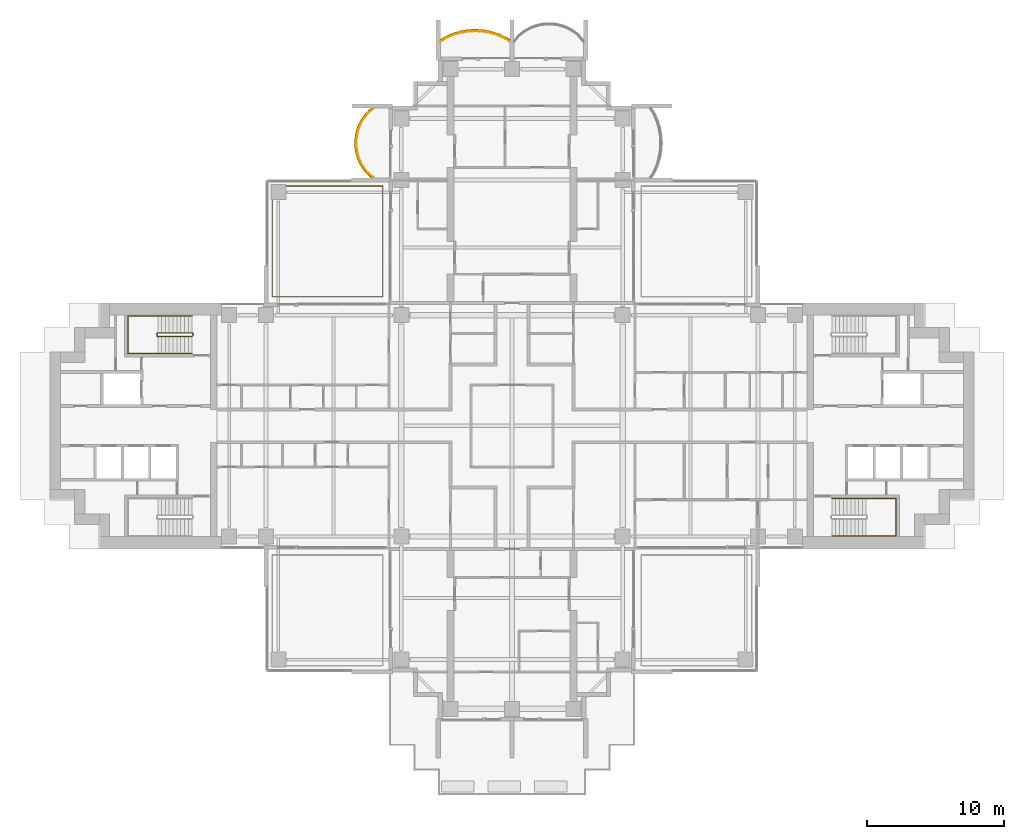
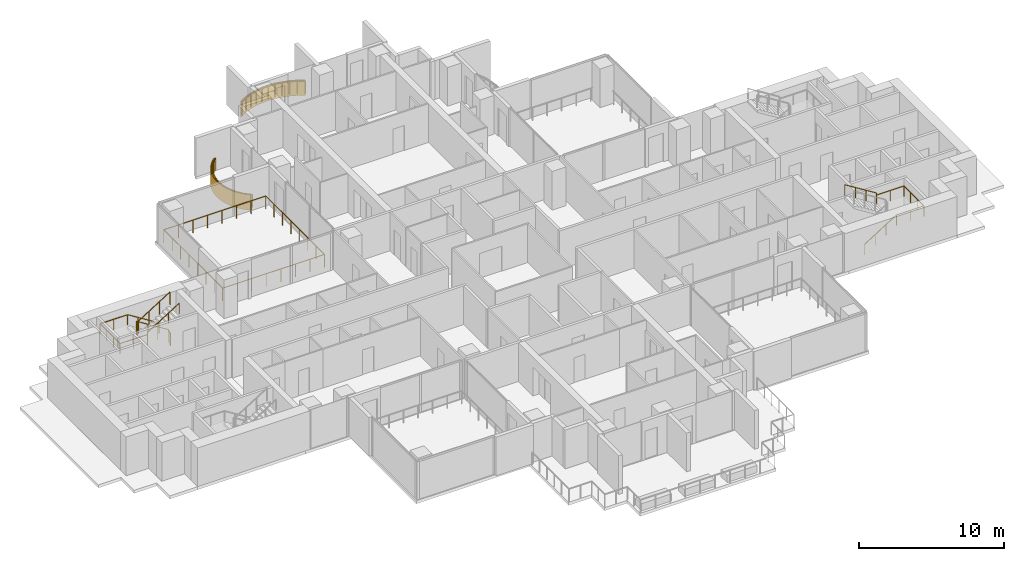
# One storey, part 19 of 20: 6 railings, 2 coverings.
"""IFC4 building model written with IfcOpenShell, lengths in metres."""

from ifc_helpers import new_model, si_unit, direction, frame, origin, origin_2d, place, context, subcontext, project, spatial, polyline, rectangle, outline, extrude, material, layer, layer_set, type_object, element, save


model = new_model("IFC4")

# Units and contexts
model_context = context("Model", 3, precision=1e-05, world=origin(), true_north=direction((0.0, 1.0)))
body_context = subcontext(model_context, "Body", "Model", "MODEL_VIEW")
ifc_project = project(units=[si_unit("LENGTHUNIT", "METRE"), si_unit("AREAUNIT", "SQUARE_METRE"), si_unit("VOLUMEUNIT", "CUBIC_METRE"), si_unit("PLANEANGLEUNIT", "RADIAN"), si_unit("MASSUNIT", "GRAM", prefix="KILO")], contexts=[model_context])

# Site, building, storey
site_placement = place(None, origin())
site = spatial("IfcSite", under=ifc_project, at=site_placement, CompositionType="ELEMENT")
building_placement = place(site_placement, origin())
building = spatial("IfcBuilding", under=site, at=building_placement, Name="Perihelion Cross Residences", CompositionType="ELEMENT")
storey_placement = place(building_placement, frame((0.0, 0.0, 102.39990234375)))
storey = spatial("IfcBuildingStorey", under=building, at=storey_placement, Name="L23", CompositionType="ELEMENT", Elevation=102.39990234375)

# Coverings
ifc_material_1 = material(Name="Bronze anodised aluminium", Category="aluminium")
ifc_layer = layer(ifc_material_1, 0.070068359375)
ifc_layer_set = layer_set([ifc_layer], Name="Balcony fascia 1300")
covering_type = type_object("IfcCoveringType", Name="Balcony fascia 1300", PredefinedType="CLADDING", material=ifc_layer_set)
covering_1_placement = place(storey_placement, frame((0.0, 0.0, -0.199951171875)))
element("IfcCovering", 1, at=covering_1_placement, inside=storey, type_object=covering_type, Name="Fascia BF1 L23 north tip north bay 2", PredefinedType="CLADDING", context=body_context, shape_type="SweptSolid", body=[
    extrude(outline(polyline([(-0.629638671875, 28.54833984375), (-1.147216796875, 28.7607421875), (-1.664794921875, 28.906494140625), (-2.182373046875, 28.991943359375), (-2.699951171875, 29.02001953125), (-3.217529296875, 28.991943359375), (-3.735107421875, 28.906494140625), (-4.2529296875, 28.7607421875), (-4.7705078125, 28.54833984375), (-5.25, 28.2802734375), (-5.25, 28.199951171875), (-4.739990234375, 28.4853515625), (-4.22998046875, 28.694580078125), (-3.719970703125, 28.838134765625), (-3.2099609375, 28.92236328125), (-2.699951171875, 28.949951171875), (-2.18994140625, 28.92236328125), (-1.679931640625, 28.838134765625), (-1.169921875, 28.694580078125), (-0.659912109375, 28.4853515625), (-0.14990234375, 28.199951171875), (-0.14990234375, 28.2802734375), (-0.629638671875, 28.54833984375)])), origin(), (0.0, 0.0, 1.0), 1.300048828125),
])
covering_2_placement = place(storey_placement, frame((0.0, 0.0, -0.199951171875)))
element("IfcCovering", 2, at=covering_2_placement, inside=storey, type_object=covering_type, Name="Fascia BF1 L23 north side west bay 1", PredefinedType="CLADDING", context=body_context, shape_type="SweptSolid", body=[
    extrude(outline(polyline([(-10.674072265625, 22.90478515625), (-10.982666015625, 22.50390625), (-11.20654296875, 22.10302734375), (-11.364013671875, 21.7021484375), (-11.464599609375, 21.30126953125), (-11.513916015625, 20.900390625), (-11.513916015625, 20.49951171875), (-11.464599609375, 20.0986328125), (-11.364013671875, 19.69775390625), (-11.20654296875, 19.296875), (-10.982666015625, 18.89599609375), (-10.674072265625, 18.4951171875), (-10.302734375, 18.14990234375), (-10.199951171875, 18.14990234375), (-10.622314453125, 18.542236328125), (-10.924072265625, 18.9345703125), (-11.143310546875, 19.326904296875), (-11.29736328125, 19.71923828125), (-11.39599609375, 20.111572265625), (-11.444091796875, 20.50390625), (-11.444091796875, 20.896240234375), (-11.39599609375, 21.28857421875), (-11.29736328125, 21.6806640625), (-11.143310546875, 22.072998046875), (-10.924072265625, 22.46533203125), (-10.622314453125, 22.857666015625), (-10.199951171875, 23.25), (-10.302734375, 23.25), (-10.674072265625, 22.90478515625)])), origin(), (0.0, 0.0, 1.0), 1.300048828125),
])

# Railings
ifc_material_2 = material(Name="Bronze anodised aluminium", Category="aluminium")
railing_type_1 = type_object("IfcRailingType", Name="Balcony guard 1100", PredefinedType="GUARDRAIL", material=ifc_material_2)
railing_1_placement = place(storey_placement, frame((-0.175048828125, 28.139892578125, 0.0)))
element("IfcRailing", 3, at=railing_1_placement, inside=storey, type_object=railing_type_1, Name="Guard GU1 L23 north tip north bay 2 balcony", PredefinedType="GUARDRAIL", context=body_context, shape_type="SweptSolid", body=[
    extrude(rectangle(XDim=0.048095703125, YDim=0.048095703125, at=origin_2d()), frame((0.0, 0.0, 1.076171875), z_axis=(-0.861789164031, 0.507266632806, 0.0), x_axis=(-0.507266632806, -0.861789164031, 0.0)), (0.0, 0.0, 1.0), 0.562744140625),
    extrude(rectangle(XDim=0.048095703125, YDim=0.048095703125, at=origin_2d()), frame((-0.48486328125, 0.285400390625, 1.076171875), z_axis=(-0.925172605972, 0.379546636342, 0.0), x_axis=(-0.379546636342, -0.925172605972, 0.0)), (0.0, 0.0, 1.0), 0.55126953125),
    extrude(rectangle(XDim=0.048095703125, YDim=0.048095703125, at=origin_2d()), frame((-0.994873046875, 0.49462890625, 1.076171875), z_axis=(-0.962474364231, 0.271372618732, 0.0), x_axis=(-0.271372618732, -0.962474364231, 0.0)), (0.0, 0.0, 1.0), 0.52978515625),
    extrude(rectangle(XDim=0.048095703125, YDim=0.048095703125, at=origin_2d()), frame((-1.5048828125, 0.638427734375, 1.076171875), z_axis=(-0.986711211531, 0.162483799314, 0.0), x_axis=(-0.162483799314, -0.986711211531, 0.0)), (0.0, 0.0, 1.0), 0.516845703125),
    extrude(rectangle(XDim=0.048095703125, YDim=0.048095703125, at=origin_2d()), frame((-2.014892578125, 0.722412109375, 1.076171875), z_axis=(-0.998540183677, 0.05401390175, 0.0), x_axis=(-0.05401390175, -0.998540183677, 0.0)), (0.0, 0.0, 1.0), 0.5107421875),
    extrude(rectangle(XDim=0.048095703125, YDim=0.048095703125, at=origin_2d()), frame((-2.52490234375, 0.75, 1.076171875), z_axis=(-0.998540183677, -0.05401390175, 0.0), x_axis=(0.05401390175, -0.998540183677, 0.0)), (0.0, 0.0, 1.0), 0.5107421875),
    extrude(rectangle(XDim=0.048095703125, YDim=0.048095703125, at=origin_2d()), frame((-3.034912109375, 0.722412109375, 1.076171875), z_axis=(-0.986711211531, -0.162483799314, 0.0), x_axis=(0.162483799314, -0.986711211531, 0.0)), (0.0, 0.0, 1.0), 0.516845703125),
    extrude(rectangle(XDim=0.048095703125, YDim=0.048095703125, at=origin_2d()), frame((-3.544921875, 0.638427734375, 1.076171875), z_axis=(-0.962474364231, -0.271372618732, 0.0), x_axis=(0.271372618732, -0.962474364231, 0.0)), (0.0, 0.0, 1.0), 0.52978515625),
    extrude(rectangle(XDim=0.048095703125, YDim=0.048095703125, at=origin_2d()), frame((-4.054931640625, 0.49462890625, 1.076171875), z_axis=(-0.925172605972, -0.379546636342, 0.0), x_axis=(0.379546636342, -0.925172605972, 0.0)), (0.0, 0.0, 1.0), 0.55126953125),
    extrude(rectangle(XDim=0.048095703125, YDim=0.048095703125, at=origin_2d()), frame((-4.56494140625, 0.285400390625, 1.076171875), z_axis=(-0.861900760591, -0.507076995033, 0.0), x_axis=(0.507076995033, -0.861900760591, 0.0)), (0.0, 0.0, 1.0), 0.562744140625),
    extrude(rectangle(XDim=0.0419921875, YDim=0.0419921875, at=origin_2d()), origin(), (0.0, 0.0, 1.0), 1.052001953125),
    extrude(rectangle(XDim=0.0419921875, YDim=0.0419921875, at=origin_2d()), frame((-0.48486328125, 0.285400390625, 0.0)), (0.0, 0.0, 1.0), 1.052001953125),
    extrude(rectangle(XDim=0.0419921875, YDim=0.0419921875, at=origin_2d()), frame((-0.994873046875, 0.49462890625, 0.0)), (0.0, 0.0, 1.0), 1.052001953125),
    extrude(rectangle(XDim=0.0419921875, YDim=0.0419921875, at=origin_2d()), frame((-1.5048828125, 0.638427734375, 0.0)), (0.0, 0.0, 1.0), 1.052001953125),
    extrude(rectangle(XDim=0.0419921875, YDim=0.0419921875, at=origin_2d()), frame((-2.014892578125, 0.722412109375, 0.0)), (0.0, 0.0, 1.0), 1.052001953125),
    extrude(rectangle(XDim=0.0419921875, YDim=0.0419921875, at=origin_2d()), frame((-2.52490234375, 0.75, 0.0)), (0.0, 0.0, 1.0), 1.052001953125),
    extrude(rectangle(XDim=0.0419921875, YDim=0.0419921875, at=origin_2d()), frame((-3.034912109375, 0.722412109375, 0.0)), (0.0, 0.0, 1.0), 1.052001953125),
    extrude(rectangle(XDim=0.0419921875, YDim=0.0419921875, at=origin_2d()), frame((-3.544921875, 0.638427734375, 0.0)), (0.0, 0.0, 1.0), 1.052001953125),
    extrude(rectangle(XDim=0.0419921875, YDim=0.0419921875, at=origin_2d()), frame((-4.054931640625, 0.49462890625, 0.0)), (0.0, 0.0, 1.0), 1.052001953125),
    extrude(rectangle(XDim=0.0419921875, YDim=0.0419921875, at=origin_2d()), frame((-4.56494140625, 0.285400390625, 0.0)), (0.0, 0.0, 1.0), 1.052001953125),
    extrude(rectangle(XDim=0.0419921875, YDim=0.0419921875, at=origin_2d()), frame((-5.050048828125, 0.0, 0.0)), (0.0, 0.0, 1.0), 1.052001953125),
])
railing_2_placement = place(storey_placement, frame((-10.139892578125, 23.22509765625, 0.0)))
element("IfcRailing", 4, at=railing_2_placement, inside=storey, type_object=railing_type_1, Name="Guard GU1 L23 north side west bay 1 balcony", PredefinedType="GUARDRAIL", context=body_context, shape_type="SweptSolid", body=[
    extrude(rectangle(XDim=0.048095703125, YDim=0.048095703125, at=origin_2d()), frame((0.0, 0.0, 1.076171875), z_axis=(-0.754464673757, -0.656340655493, 0.0), x_axis=(0.656340655493, -0.754464673757, 0.0)), (0.0, 0.0, 1.0), 0.559814453125),
    extrude(rectangle(XDim=0.048095703125, YDim=0.048095703125, at=origin_2d()), frame((-0.42236328125, -0.367431640625, 1.076171875), z_axis=(-0.60966308455, -0.792660660899, 0.0), x_axis=(0.792660660899, -0.60966308455, 0.0)), (0.0, 0.0, 1.0), 0.494873046875),
    extrude(rectangle(XDim=0.048095703125, YDim=0.048095703125, at=origin_2d()), frame((-0.72412109375, -0.759765625, 1.076171875), z_axis=(-0.487809182674, -0.872950285698, 0.0), x_axis=(0.872950285698, -0.487809182674, 0.0)), (0.0, 0.0, 1.0), 0.449462890625),
    extrude(rectangle(XDim=0.048095703125, YDim=0.048095703125, at=origin_2d()), frame((-0.943359375, -1.152099609375, 1.076171875), z_axis=(-0.365491079925, -0.930814842219, 0.0), x_axis=(0.930814842219, -0.365491079925, 0.0)), (0.0, 0.0, 1.0), 0.42138671875),
    extrude(rectangle(XDim=0.048095703125, YDim=0.048095703125, at=origin_2d()), frame((-1.097412109375, -1.54443359375, 1.076171875), z_axis=(-0.243956193074, -0.969786252666, 0.0), x_axis=(0.969786252666, -0.243956193074, 0.0)), (0.0, 0.0, 1.0), 0.404296875),
    extrude(rectangle(XDim=0.048095703125, YDim=0.048095703125, at=origin_2d()), frame((-1.196044921875, -1.9365234375, 1.076171875), z_axis=(-0.121677797999, -0.992569651699, 0.0), x_axis=(0.992569651699, -0.121677797999, 0.0)), (0.0, 0.0, 1.0), 0.395263671875),
    extrude(rectangle(XDim=0.048095703125, YDim=0.048095703125, at=origin_2d()), frame((-1.244140625, -2.328857421875, 1.076171875), z_axis=(0.0, -1.0, 0.0), x_axis=(1.0, 0.0, 0.0)), (0.0, 0.0, 1.0), 0.392333984375),
    extrude(rectangle(XDim=0.048095703125, YDim=0.048095703125, at=origin_2d()), frame((-1.244140625, -2.72119140625, 1.076171875), z_axis=(0.121677797999, -0.992569651699, 0.0), x_axis=(0.992569651699, 0.121677797999, 0.0)), (0.0, 0.0, 1.0), 0.395263671875),
    extrude(rectangle(XDim=0.048095703125, YDim=0.048095703125, at=origin_2d()), frame((-1.196044921875, -3.113525390625, 1.076171875), z_axis=(0.243813411509, -0.969822159145, 0.0), x_axis=(0.969822159145, 0.243813411509, 0.0)), (0.0, 0.0, 1.0), 0.404541015625),
    extrude(rectangle(XDim=0.048095703125, YDim=0.048095703125, at=origin_2d()), frame((-1.097412109375, -3.505859375, 1.076171875), z_axis=(0.365491079925, -0.930814842219, 0.0), x_axis=(0.930814842219, 0.365491079925, 0.0)), (0.0, 0.0, 1.0), 0.42138671875),
    extrude(rectangle(XDim=0.048095703125, YDim=0.048095703125, at=origin_2d()), frame((-0.943359375, -3.898193359375, 1.076171875), z_axis=(0.487809182674, -0.872950285698, 0.0), x_axis=(0.872950285698, 0.487809182674, 0.0)), (0.0, 0.0, 1.0), 0.449462890625),
    extrude(rectangle(XDim=0.048095703125, YDim=0.048095703125, at=origin_2d()), frame((-0.72412109375, -4.29052734375, 1.076171875), z_axis=(0.60966308455, -0.792660660899, 0.0), x_axis=(0.792660660899, 0.60966308455, 0.0)), (0.0, 0.0, 1.0), 0.494873046875),
    extrude(rectangle(XDim=0.048095703125, YDim=0.048095703125, at=origin_2d()), frame((-0.42236328125, -4.682861328125, 1.076171875), z_axis=(0.754680648599, -0.656092309534, 0.0), x_axis=(0.656092309534, 0.754680648599, 0.0)), (0.0, 0.0, 1.0), 0.5595703125),
    extrude(rectangle(XDim=0.0419921875, YDim=0.0419921875, at=origin_2d()), origin(), (0.0, 0.0, 1.0), 1.052001953125),
    extrude(rectangle(XDim=0.0419921875, YDim=0.0419921875, at=origin_2d()), frame((-0.42236328125, -0.367431640625, 0.0)), (0.0, 0.0, 1.0), 1.052001953125),
    extrude(rectangle(XDim=0.0419921875, YDim=0.0419921875, at=origin_2d()), frame((-0.72412109375, -0.759765625, 0.0)), (0.0, 0.0, 1.0), 1.052001953125),
    extrude(rectangle(XDim=0.0419921875, YDim=0.0419921875, at=origin_2d()), frame((-0.943359375, -1.152099609375, 0.0)), (0.0, 0.0, 1.0), 1.052001953125),
    extrude(rectangle(XDim=0.0419921875, YDim=0.0419921875, at=origin_2d()), frame((-1.097412109375, -1.54443359375, 0.0)), (0.0, 0.0, 1.0), 1.052001953125),
    extrude(rectangle(XDim=0.0419921875, YDim=0.0419921875, at=origin_2d()), frame((-1.196044921875, -1.9365234375, 0.0)), (0.0, 0.0, 1.0), 1.052001953125),
    extrude(rectangle(XDim=0.0419921875, YDim=0.0419921875, at=origin_2d()), frame((-1.244140625, -2.328857421875, 0.0)), (0.0, 0.0, 1.0), 1.052001953125),
    extrude(rectangle(XDim=0.0419921875, YDim=0.0419921875, at=origin_2d()), frame((-1.244140625, -2.72119140625, 0.0)), (0.0, 0.0, 1.0), 1.052001953125),
    extrude(rectangle(XDim=0.0419921875, YDim=0.0419921875, at=origin_2d()), frame((-1.196044921875, -3.113525390625, 0.0)), (0.0, 0.0, 1.0), 1.052001953125),
    extrude(rectangle(XDim=0.0419921875, YDim=0.0419921875, at=origin_2d()), frame((-1.097412109375, -3.505859375, 0.0)), (0.0, 0.0, 1.0), 1.052001953125),
    extrude(rectangle(XDim=0.0419921875, YDim=0.0419921875, at=origin_2d()), frame((-0.943359375, -3.898193359375, 0.0)), (0.0, 0.0, 1.0), 1.052001953125),
    extrude(rectangle(XDim=0.0419921875, YDim=0.0419921875, at=origin_2d()), frame((-0.72412109375, -4.29052734375, 0.0)), (0.0, 0.0, 1.0), 1.052001953125),
    extrude(rectangle(XDim=0.0419921875, YDim=0.0419921875, at=origin_2d()), frame((-0.42236328125, -4.682861328125, 0.0)), (0.0, 0.0, 1.0), 1.052001953125),
    extrude(rectangle(XDim=0.0419921875, YDim=0.0419921875, at=origin_2d()), frame((0.0, -5.050048828125, 0.0)), (0.0, 0.0, 1.0), 1.052001953125),
])
railing_3_placement = place(storey_placement, frame((-9.449951171875, 9.449951171875, 0.0)))
element("IfcRailing", 5, at=railing_3_placement, inside=storey, type_object=railing_type_1, Name="Guard GU1 L23 pocket north-west 1", PredefinedType="GUARDRAIL", context=body_context, shape_type="SweptSolid", body=[
    extrude(rectangle(XDim=0.048095703125, YDim=0.048095703125, at=origin_2d()), frame((0.0, 0.0, 1.076171875), z_axis=(-1.0, 0.0, 0.0), x_axis=(0.0, -1.0, 0.0)), (0.0, 0.0, 1.0), 8.10009765625),
    extrude(rectangle(XDim=0.048095703125, YDim=0.048095703125, at=origin_2d()), frame((-8.10009765625, 0.0, 1.076171875), z_axis=(0.0, 1.0, 0.0), x_axis=(-1.0, 0.0, 0.0)), (0.0, 0.0, 1.0), 8.10009765625),
    extrude(rectangle(XDim=0.048095703125, YDim=0.048095703125, at=origin_2d()), frame((-8.10009765625, 8.10009765625, 1.076171875), z_axis=(1.0, 0.0, 0.0), x_axis=(0.0, 1.0, 0.0)), (0.0, 0.0, 1.0), 8.10009765625),
    extrude(rectangle(XDim=0.048095703125, YDim=0.048095703125, at=origin_2d()), frame((0.0, 8.10009765625, 1.076171875), z_axis=(0.0, -1.0, 0.0), x_axis=(1.0, 0.0, 0.0)), (0.0, 0.0, 1.0), 8.10009765625),
    extrude(rectangle(XDim=0.0419921875, YDim=0.0419921875, at=origin_2d()), origin(), (0.0, 0.0, 1.0), 1.052001953125),
    extrude(rectangle(XDim=0.0419921875, YDim=0.0419921875, at=origin_2d()), frame((-1.1572265625, 0.0, 0.0)), (0.0, 0.0, 1.0), 1.052001953125),
    extrude(rectangle(XDim=0.0419921875, YDim=0.0419921875, at=origin_2d()), frame((-2.314208984375, 0.0, 0.0)), (0.0, 0.0, 1.0), 1.052001953125),
    extrude(rectangle(XDim=0.0419921875, YDim=0.0419921875, at=origin_2d()), frame((-3.471435546875, 0.0, 0.0)), (0.0, 0.0, 1.0), 1.052001953125),
    extrude(rectangle(XDim=0.0419921875, YDim=0.0419921875, at=origin_2d()), frame((-4.628662109375, 0.0, 0.0)), (0.0, 0.0, 1.0), 1.052001953125),
    extrude(rectangle(XDim=0.0419921875, YDim=0.0419921875, at=origin_2d()), frame((-5.785888671875, 0.0, 0.0)), (0.0, 0.0, 1.0), 1.052001953125),
    extrude(rectangle(XDim=0.0419921875, YDim=0.0419921875, at=origin_2d()), frame((-6.94287109375, 0.0, 0.0)), (0.0, 0.0, 1.0), 1.052001953125),
    extrude(rectangle(XDim=0.0419921875, YDim=0.0419921875, at=origin_2d()), frame((-8.10009765625, 0.0, 0.0)), (0.0, 0.0, 1.0), 1.052001953125),
    extrude(rectangle(XDim=0.0419921875, YDim=0.0419921875, at=origin_2d()), frame((-8.10009765625, 1.1572265625, 0.0)), (0.0, 0.0, 1.0), 1.052001953125),
    extrude(rectangle(XDim=0.0419921875, YDim=0.0419921875, at=origin_2d()), frame((-8.10009765625, 2.314208984375, 0.0)), (0.0, 0.0, 1.0), 1.052001953125),
    extrude(rectangle(XDim=0.0419921875, YDim=0.0419921875, at=origin_2d()), frame((-8.10009765625, 3.471435546875, 0.0)), (0.0, 0.0, 1.0), 1.052001953125),
    extrude(rectangle(XDim=0.0419921875, YDim=0.0419921875, at=origin_2d()), frame((-8.10009765625, 4.628662109375, 0.0)), (0.0, 0.0, 1.0), 1.052001953125),
    extrude(rectangle(XDim=0.0419921875, YDim=0.0419921875, at=origin_2d()), frame((-8.10009765625, 5.785888671875, 0.0)), (0.0, 0.0, 1.0), 1.052001953125),
    extrude(rectangle(XDim=0.0419921875, YDim=0.0419921875, at=origin_2d()), frame((-8.10009765625, 6.94287109375, 0.0)), (0.0, 0.0, 1.0), 1.052001953125),
    extrude(rectangle(XDim=0.0419921875, YDim=0.0419921875, at=origin_2d()), frame((-8.10009765625, 8.10009765625, 0.0)), (0.0, 0.0, 1.0), 1.052001953125),
    extrude(rectangle(XDim=0.0419921875, YDim=0.0419921875, at=origin_2d()), frame((-6.94287109375, 8.10009765625, 0.0)), (0.0, 0.0, 1.0), 1.052001953125),
    extrude(rectangle(XDim=0.0419921875, YDim=0.0419921875, at=origin_2d()), frame((-5.785888671875, 8.10009765625, 0.0)), (0.0, 0.0, 1.0), 1.052001953125),
    extrude(rectangle(XDim=0.0419921875, YDim=0.0419921875, at=origin_2d()), frame((-4.628662109375, 8.10009765625, 0.0)), (0.0, 0.0, 1.0), 1.052001953125),
    extrude(rectangle(XDim=0.0419921875, YDim=0.0419921875, at=origin_2d()), frame((-3.471435546875, 8.10009765625, 0.0)), (0.0, 0.0, 1.0), 1.052001953125),
    extrude(rectangle(XDim=0.0419921875, YDim=0.0419921875, at=origin_2d()), frame((-2.314208984375, 8.10009765625, 0.0)), (0.0, 0.0, 1.0), 1.052001953125),
    extrude(rectangle(XDim=0.0419921875, YDim=0.0419921875, at=origin_2d()), frame((-1.1572265625, 8.10009765625, 0.0)), (0.0, 0.0, 1.0), 1.052001953125),
    extrude(rectangle(XDim=0.0419921875, YDim=0.0419921875, at=origin_2d()), frame((0.0, 8.10009765625, 0.0)), (0.0, 0.0, 1.0), 1.052001953125),
    extrude(rectangle(XDim=0.0419921875, YDim=0.0419921875, at=origin_2d()), frame((0.0, 6.94287109375, 0.0)), (0.0, 0.0, 1.0), 1.052001953125),
    extrude(rectangle(XDim=0.0419921875, YDim=0.0419921875, at=origin_2d()), frame((0.0, 5.785888671875, 0.0)), (0.0, 0.0, 1.0), 1.052001953125),
    extrude(rectangle(XDim=0.0419921875, YDim=0.0419921875, at=origin_2d()), frame((0.0, 4.628662109375, 0.0)), (0.0, 0.0, 1.0), 1.052001953125),
    extrude(rectangle(XDim=0.0419921875, YDim=0.0419921875, at=origin_2d()), frame((0.0, 3.471435546875, 0.0)), (0.0, 0.0, 1.0), 1.052001953125),
    extrude(rectangle(XDim=0.0419921875, YDim=0.0419921875, at=origin_2d()), frame((0.0, 2.314208984375, 0.0)), (0.0, 0.0, 1.0), 1.052001953125),
    extrude(rectangle(XDim=0.0419921875, YDim=0.0419921875, at=origin_2d()), frame((0.0, 1.1572265625, 0.0)), (0.0, 0.0, 1.0), 1.052001953125),
])
ifc_material_3 = material(Name="Stainless steel", Category="steel")
railing_type_2 = type_object("IfcRailingType", Name="Stair guard 1100", PredefinedType="GUARDRAIL", material=ifc_material_3)
railing_4_placement = place(storey_placement, frame((-23.35009765625, 6.60009765625, 0.0)))
element("IfcRailing", 6, at=railing_4_placement, inside=storey, type_object=railing_type_2, Name="L23 ST-W1 stair guard 1", PredefinedType="GUARDRAIL", context=body_context, shape_type="SweptSolid", body=[
    extrude(rectangle(XDim=0.048095703125, YDim=0.048095703125, at=origin_2d()), frame((0.0, 0.0, 1.076171875), z_axis=(0.0, 1.0, 0.0), x_axis=(-1.0, 0.0, 0.0)), (0.0, 0.0, 1.0), 0.14990234375),
    extrude(rectangle(XDim=0.048095703125, YDim=0.048095703125, at=origin_2d()), frame((0.0, 0.14990234375, 1.076171875), z_axis=(-0.263862480399, 0.265155923931, 0.927399011991), x_axis=(-0.708833529934, -0.705375805398, 0.0)), (0.0, 0.0, 1.0), 0.188720703125),
    extrude(rectangle(XDim=0.048095703125, YDim=0.048095703125, at=origin_2d()), frame((-0.0498046875, 0.199951171875, 1.2509765625), z_axis=(-0.848007534815, 0.0, 0.529984170421), x_axis=(0.0, -1.0, 0.0)), (0.0, 0.0, 1.0), 2.9716796875),
    extrude(rectangle(XDim=0.048095703125, YDim=0.048095703125, at=origin_2d()), frame((-2.56982421875, 0.199951171875, 2.826171875), z_axis=(-0.707106781187, -0.707106781187, 0.0), x_axis=(0.707106781187, -0.707106781187, 0.0)), (0.0, 0.0, 1.0), 0.07080078125),
    extrude(rectangle(XDim=0.048095703125, YDim=0.048095703125, at=origin_2d()), frame((-2.619873046875, 0.14990234375, 2.826171875), z_axis=(0.0, -1.0, 0.0), x_axis=(1.0, 0.0, 0.0)), (0.0, 0.0, 1.0), 0.14990234375),
    extrude(rectangle(XDim=0.048095703125, YDim=0.048095703125, at=origin_2d()), frame((-2.619873046875, 0.0, 2.826171875), z_axis=(0.265065253269, -0.265065253269, 0.927081885822), x_axis=(0.707106781187, 0.707106781187, 0.0)), (0.0, 0.0, 1.0), 0.188720703125),
    extrude(rectangle(XDim=0.048095703125, YDim=0.048095703125, at=origin_2d()), frame((-2.56982421875, -0.050048828125, 3.0009765625), z_axis=(0.848007534815, 0.0, 0.529984170421), x_axis=(0.0, 1.0, 0.0)), (0.0, 0.0, 1.0), 2.9716796875),
    extrude(rectangle(XDim=0.0419921875, YDim=0.0419921875, at=origin_2d()), origin(), (0.0, 0.0, 1.0), 1.052001953125),
    extrude(rectangle(XDim=0.0419921875, YDim=0.0419921875, at=origin_2d()), frame((0.0, 0.14990234375, 0.0)), (0.0, 0.0, 1.0), 1.052001953125),
    extrude(rectangle(XDim=0.0419921875, YDim=0.0419921875, at=origin_2d()), frame((-0.0498046875, 0.199951171875, 0.175048828125)), (0.0, 0.0, 1.0), 1.052001953125),
    extrude(rectangle(XDim=0.0419921875, YDim=0.0419921875, at=origin_2d()), frame((-0.889892578125, 0.199951171875, 0.699951171875)), (0.0, 0.0, 1.0), 1.052001953125),
    extrude(rectangle(XDim=0.0419921875, YDim=0.0419921875, at=origin_2d()), frame((-1.729736328125, 0.199951171875, 1.22509765625)), (0.0, 0.0, 1.0), 1.052001953125),
    extrude(rectangle(XDim=0.0419921875, YDim=0.0419921875, at=origin_2d()), frame((-2.56982421875, 0.199951171875, 1.75)), (0.0, 0.0, 1.0), 1.052001953125),
    extrude(rectangle(XDim=0.0419921875, YDim=0.0419921875, at=origin_2d()), frame((-2.619873046875, 0.14990234375, 1.75)), (0.0, 0.0, 1.0), 1.052001953125),
    extrude(rectangle(XDim=0.0419921875, YDim=0.0419921875, at=origin_2d()), frame((-2.619873046875, 0.0, 1.75)), (0.0, 0.0, 1.0), 1.052001953125),
    extrude(rectangle(XDim=0.0419921875, YDim=0.0419921875, at=origin_2d()), frame((-2.56982421875, -0.050048828125, 1.925048828125)), (0.0, 0.0, 1.0), 1.052001953125),
    extrude(rectangle(XDim=0.0419921875, YDim=0.0419921875, at=origin_2d()), frame((-1.729736328125, -0.050048828125, 2.449951171875)), (0.0, 0.0, 1.0), 1.052001953125),
    extrude(rectangle(XDim=0.0419921875, YDim=0.0419921875, at=origin_2d()), frame((-0.889892578125, -0.050048828125, 2.97509765625)), (0.0, 0.0, 1.0), 1.052001953125),
    extrude(rectangle(XDim=0.0419921875, YDim=0.0419921875, at=origin_2d()), frame((-0.0498046875, -0.050048828125, 3.5)), (0.0, 0.0, 1.0), 1.052001953125),
])
ifc_material_4 = material(Name="Stainless steel", Category="steel")
railing_type_3 = type_object("IfcRailingType", Name="Stair handrail 900", PredefinedType="HANDRAIL", material=ifc_material_4)
railing_5_placement = place(storey_placement, frame((23.39990234375, -8.050048828125, 0.175048828125)))
element("IfcRailing", 7, at=railing_5_placement, inside=storey, type_object=railing_type_3, Name="L23 ST-E2 stair handrail 1", PredefinedType="HANDRAIL", context=body_context, shape_type="SweptSolid", body=[
    extrude(rectangle(XDim=0.048095703125, YDim=0.048095703125, at=origin_2d()), frame((0.0, 0.0, 0.8759765625), z_axis=(0.848007534815, 0.0, 0.529984170421), x_axis=(0.0, 1.0, 0.0)), (0.0, 0.0, 1.0), 2.9716796875),
    extrude(rectangle(XDim=0.048095703125, YDim=0.048095703125, at=origin_2d()), frame((2.52001953125, 0.0, 2.45068359375), z_axis=(1.0, 0.0, 0.0), x_axis=(0.0, 1.0, 0.0)), (0.0, 0.0, 1.0), 2.18017578125),
    extrude(rectangle(XDim=0.048095703125, YDim=0.048095703125, at=origin_2d()), frame((4.7001953125, 0.0, 2.45068359375), z_axis=(0.0, 1.0, 0.0), x_axis=(-1.0, 0.0, 0.0)), (0.0, 0.0, 1.0), 2.75),
    extrude(rectangle(XDim=0.048095703125, YDim=0.048095703125, at=origin_2d()), frame((4.7001953125, 2.75, 2.45068359375), z_axis=(-1.0, 0.0, 0.0), x_axis=(0.0, -1.0, 0.0)), (0.0, 0.0, 1.0), 2.18017578125),
    extrude(rectangle(XDim=0.048095703125, YDim=0.048095703125, at=origin_2d()), frame((2.52001953125, 2.75, 2.45068359375), z_axis=(0.0, 0.0, 1.0), x_axis=(1.0, 0.0, 0.0)), (0.0, 0.0, 1.0), 0.175048828125),
    extrude(rectangle(XDim=0.048095703125, YDim=0.048095703125, at=origin_2d()), frame((2.52001953125, 2.75, 2.6259765625), z_axis=(-0.848007534815, 0.0, 0.529984170421), x_axis=(0.0, -1.0, 0.0)), (0.0, 0.0, 1.0), 2.9716796875),
    extrude(rectangle(XDim=0.0419921875, YDim=0.0419921875, at=origin_2d()), origin(), (0.0, 0.0, 1.0), 0.851806640625),
    extrude(rectangle(XDim=0.0419921875, YDim=0.0419921875, at=origin_2d()), frame((0.840087890625, 0.0, 0.52490234375)), (0.0, 0.0, 1.0), 0.851806640625),
    extrude(rectangle(XDim=0.0419921875, YDim=0.0419921875, at=origin_2d()), frame((1.679931640625, 0.0, 1.050048828125)), (0.0, 0.0, 1.0), 0.851806640625),
    extrude(rectangle(XDim=0.0419921875, YDim=0.0419921875, at=origin_2d()), frame((2.52001953125, 0.0, 1.574951171875)), (0.0, 0.0, 1.0), 0.851806640625),
    extrude(rectangle(XDim=0.0419921875, YDim=0.0419921875, at=origin_2d()), frame((3.610107421875, 0.0, 1.574951171875)), (0.0, 0.0, 1.0), 0.851806640625),
    extrude(rectangle(XDim=0.0419921875, YDim=0.0419921875, at=origin_2d()), frame((4.7001953125, 0.0, 1.574951171875)), (0.0, 0.0, 1.0), 0.851806640625),
    extrude(rectangle(XDim=0.0419921875, YDim=0.0419921875, at=origin_2d()), frame((4.7001953125, 0.916748046875, 1.574951171875)), (0.0, 0.0, 1.0), 0.851806640625),
    extrude(rectangle(XDim=0.0419921875, YDim=0.0419921875, at=origin_2d()), frame((4.7001953125, 1.833251953125, 1.574951171875)), (0.0, 0.0, 1.0), 0.851806640625),
    extrude(rectangle(XDim=0.0419921875, YDim=0.0419921875, at=origin_2d()), frame((4.7001953125, 2.75, 1.574951171875)), (0.0, 0.0, 1.0), 0.851806640625),
    extrude(rectangle(XDim=0.0419921875, YDim=0.0419921875, at=origin_2d()), frame((3.610107421875, 2.75, 1.574951171875)), (0.0, 0.0, 1.0), 0.851806640625),
    extrude(rectangle(XDim=0.0419921875, YDim=0.0419921875, at=origin_2d()), frame((2.52001953125, 2.75, 1.574951171875)), (0.0, 0.0, 1.0), 0.851806640625),
    extrude(rectangle(XDim=0.0419921875, YDim=0.0419921875, at=origin_2d()), frame((2.52001953125, 2.75, 1.75)), (0.0, 0.0, 1.0), 0.851806640625),
    extrude(rectangle(XDim=0.0419921875, YDim=0.0419921875, at=origin_2d()), frame((1.679931640625, 2.75, 2.27490234375)), (0.0, 0.0, 1.0), 0.851806640625),
    extrude(rectangle(XDim=0.0419921875, YDim=0.0419921875, at=origin_2d()), frame((0.840087890625, 2.75, 2.800048828125)), (0.0, 0.0, 1.0), 0.851806640625),
    extrude(rectangle(XDim=0.0419921875, YDim=0.0419921875, at=origin_2d()), frame((0.0, 2.75, 3.324951171875)), (0.0, 0.0, 1.0), 0.851806640625),
])
railing_6_placement = place(storey_placement, frame((-23.39990234375, 8.050048828125, 0.175048828125)))
element("IfcRailing", 8, at=railing_6_placement, inside=storey, type_object=railing_type_3, Name="L23 ST-W1 stair handrail 1", PredefinedType="HANDRAIL", context=body_context, shape_type="SweptSolid", body=[
    extrude(rectangle(XDim=0.048095703125, YDim=0.048095703125, at=origin_2d()), frame((0.0, 0.0, 0.8759765625), z_axis=(-0.848007534815, 0.0, 0.529984170421), x_axis=(0.0, -1.0, 0.0)), (0.0, 0.0, 1.0), 2.9716796875),
    extrude(rectangle(XDim=0.048095703125, YDim=0.048095703125, at=origin_2d()), frame((-2.52001953125, 0.0, 2.45068359375), z_axis=(-1.0, 0.0, 0.0), x_axis=(0.0, -1.0, 0.0)), (0.0, 0.0, 1.0), 2.18017578125),
    extrude(rectangle(XDim=0.048095703125, YDim=0.048095703125, at=origin_2d()), frame((-4.7001953125, 0.0, 2.45068359375), z_axis=(0.0, -1.0, 0.0), x_axis=(1.0, 0.0, 0.0)), (0.0, 0.0, 1.0), 2.75),
    extrude(rectangle(XDim=0.048095703125, YDim=0.048095703125, at=origin_2d()), frame((-4.7001953125, -2.75, 2.45068359375), z_axis=(1.0, 0.0, 0.0), x_axis=(0.0, 1.0, 0.0)), (0.0, 0.0, 1.0), 2.18017578125),
    extrude(rectangle(XDim=0.048095703125, YDim=0.048095703125, at=origin_2d()), frame((-2.52001953125, -2.75, 2.45068359375), z_axis=(0.0, 0.0, 1.0), x_axis=(1.0, 0.0, 0.0)), (0.0, 0.0, 1.0), 0.175048828125),
    extrude(rectangle(XDim=0.048095703125, YDim=0.048095703125, at=origin_2d()), frame((-2.52001953125, -2.75, 2.6259765625), z_axis=(0.848007534815, 0.0, 0.529984170421), x_axis=(0.0, 1.0, 0.0)), (0.0, 0.0, 1.0), 2.9716796875),
    extrude(rectangle(XDim=0.0419921875, YDim=0.0419921875, at=origin_2d()), origin(), (0.0, 0.0, 1.0), 0.851806640625),
    extrude(rectangle(XDim=0.0419921875, YDim=0.0419921875, at=origin_2d()), frame((-0.840087890625, 0.0, 0.52490234375)), (0.0, 0.0, 1.0), 0.851806640625),
    extrude(rectangle(XDim=0.0419921875, YDim=0.0419921875, at=origin_2d()), frame((-1.679931640625, 0.0, 1.050048828125)), (0.0, 0.0, 1.0), 0.851806640625),
    extrude(rectangle(XDim=0.0419921875, YDim=0.0419921875, at=origin_2d()), frame((-2.52001953125, 0.0, 1.574951171875)), (0.0, 0.0, 1.0), 0.851806640625),
    extrude(rectangle(XDim=0.0419921875, YDim=0.0419921875, at=origin_2d()), frame((-3.610107421875, 0.0, 1.574951171875)), (0.0, 0.0, 1.0), 0.851806640625),
    extrude(rectangle(XDim=0.0419921875, YDim=0.0419921875, at=origin_2d()), frame((-4.7001953125, 0.0, 1.574951171875)), (0.0, 0.0, 1.0), 0.851806640625),
    extrude(rectangle(XDim=0.0419921875, YDim=0.0419921875, at=origin_2d()), frame((-4.7001953125, -0.916748046875, 1.574951171875)), (0.0, 0.0, 1.0), 0.851806640625),
    extrude(rectangle(XDim=0.0419921875, YDim=0.0419921875, at=origin_2d()), frame((-4.7001953125, -1.833251953125, 1.574951171875)), (0.0, 0.0, 1.0), 0.851806640625),
    extrude(rectangle(XDim=0.0419921875, YDim=0.0419921875, at=origin_2d()), frame((-4.7001953125, -2.75, 1.574951171875)), (0.0, 0.0, 1.0), 0.851806640625),
    extrude(rectangle(XDim=0.0419921875, YDim=0.0419921875, at=origin_2d()), frame((-3.610107421875, -2.75, 1.574951171875)), (0.0, 0.0, 1.0), 0.851806640625),
    extrude(rectangle(XDim=0.0419921875, YDim=0.0419921875, at=origin_2d()), frame((-2.52001953125, -2.75, 1.574951171875)), (0.0, 0.0, 1.0), 0.851806640625),
    extrude(rectangle(XDim=0.0419921875, YDim=0.0419921875, at=origin_2d()), frame((-2.52001953125, -2.75, 1.75)), (0.0, 0.0, 1.0), 0.851806640625),
    extrude(rectangle(XDim=0.0419921875, YDim=0.0419921875, at=origin_2d()), frame((-1.679931640625, -2.75, 2.27490234375)), (0.0, 0.0, 1.0), 0.851806640625),
    extrude(rectangle(XDim=0.0419921875, YDim=0.0419921875, at=origin_2d()), frame((-0.840087890625, -2.75, 2.800048828125)), (0.0, 0.0, 1.0), 0.851806640625),
    extrude(rectangle(XDim=0.0419921875, YDim=0.0419921875, at=origin_2d()), frame((0.0, -2.75, 3.324951171875)), (0.0, 0.0, 1.0), 0.851806640625),
])

save(model, "model.ifc")
